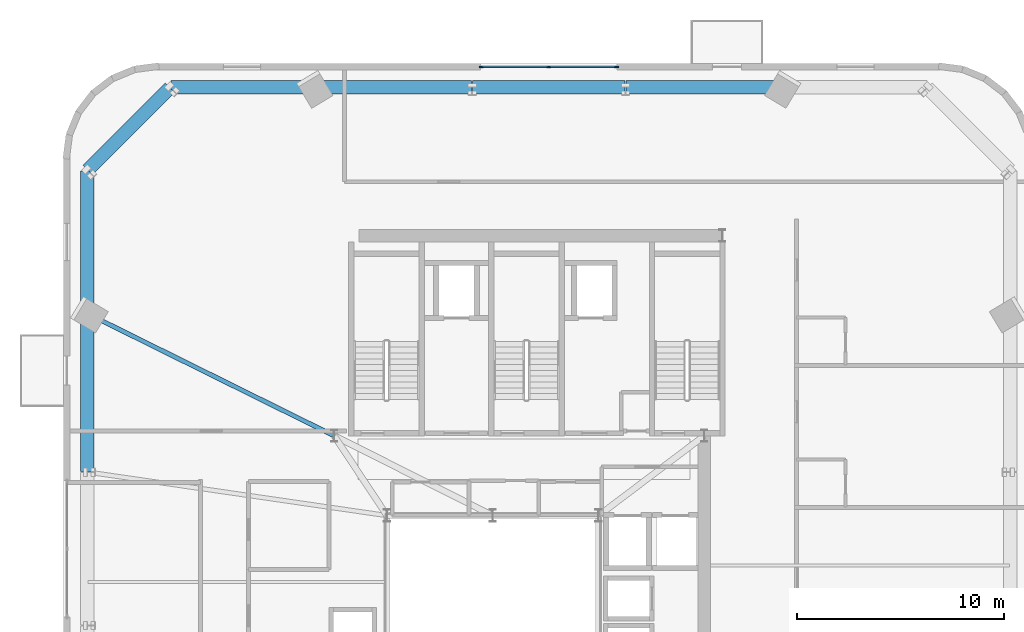
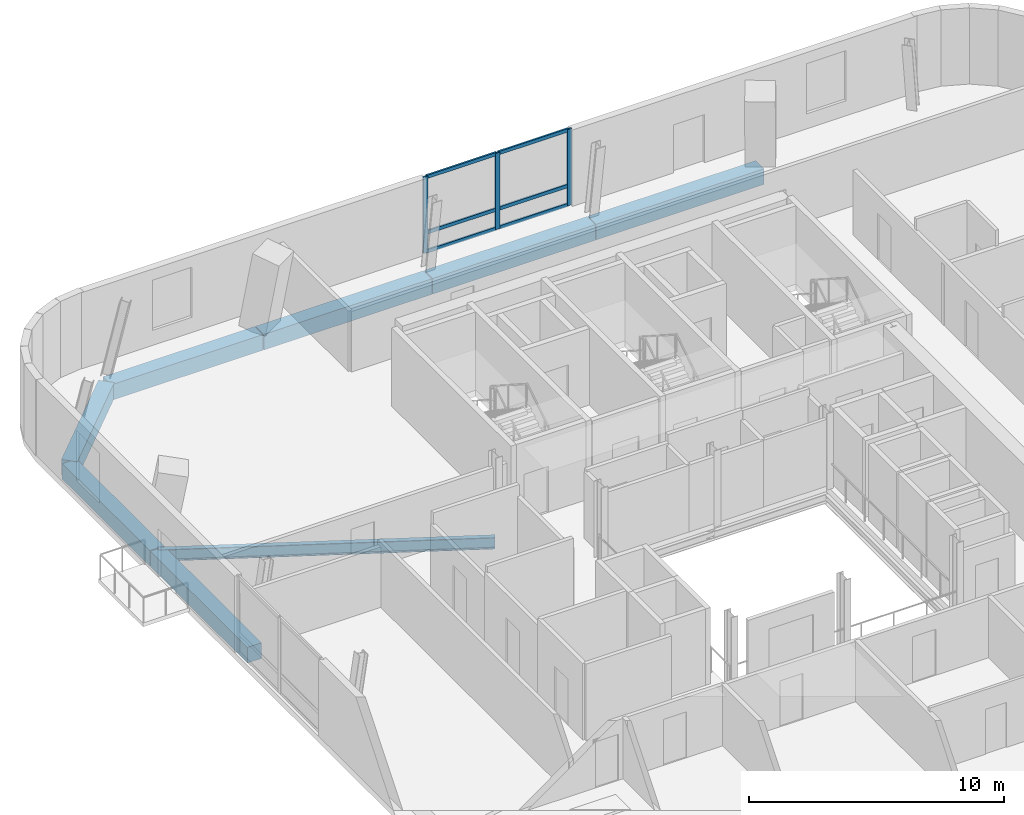
# One storey, part 5 of 12: 9 members, 8 beams, 1 element without a shape of its own.
"""IFC4 building model written with IfcOpenShell, lengths in metres."""

from ifc_helpers import new_model, si_unit, direction, frame, origin, origin_2d, place, context, subcontext, project, spatial, rectangle, i_section, extrude, source, transform, mapped, material, material_profile, profile_set, type_object, element, aggregate, save


model = new_model("IFC4")

# Units and contexts
model_context = context("Model", 3, precision=1e-05, world=origin(), true_north=direction((0.0, 1.0)))
body_context = subcontext(model_context, "Body", "Model", "MODEL_VIEW")
ifc_project = project(units=[si_unit("LENGTHUNIT", "METRE"), si_unit("AREAUNIT", "SQUARE_METRE"), si_unit("VOLUMEUNIT", "CUBIC_METRE"), si_unit("PLANEANGLEUNIT", "RADIAN"), si_unit("MASSUNIT", "GRAM", prefix="KILO")], contexts=[model_context])

# Site, building, storey
site_placement = place(None, origin())
site = spatial("IfcSite", under=ifc_project, at=site_placement, CompositionType="ELEMENT")
building_placement = place(site_placement, origin())
building = spatial("IfcBuilding", under=site, at=building_placement, Name="Vardaveli Station Tower", CompositionType="ELEMENT")
storey_placement = place(building_placement, frame((0.0, 0.0, 254.550048828125)))
storey = spatial("IfcBuildingStorey", under=building, at=storey_placement, Name="L65", CompositionType="ELEMENT", Elevation=254.550048828125)

# Beams
ifc_material_1 = material(Name="Precast concrete C45/55", Category="concrete")
ifc_material_profile_1 = material_profile(ifc_material_1, rectangle(XDim=0.64990234375, YDim=0.75, at=origin_2d()), Name="LPB 650x750")
ifc_profile_set_1 = profile_set([ifc_material_profile_1], Name="Precast concrete C45/55")
beam_type_1 = type_object("IfcBeamType", Name="BM-LPB-750", PredefinedType="BEAM", material=ifc_profile_set_1)
shared_shape_1 = source(origin(), body_context, "Body", "SweptSolid", [
    extrude(rectangle(XDim=0.64990234375, YDim=0.75, at=origin_2d()), origin(), (0.0, 0.0, 1.0), 7.60009765625),
])
for number, where, z_axis, x_axis, name in (
    (1, (50.320068359375, 47.449951171875, -0.675048828125), (-1.0, 0.0, 0.0), (0.0, -1.0, 0.0), "RBM-L65-13"),
    (2, (35.280029296875, 47.449951171875, -0.675048828125), (-1.0, 0.0, 0.0), (0.0, -1.0, 0.0), "RBM-L65-15"),
    (3, (16.75, 36.52001953125, -0.675048828125), (0.0, -1.0, 0.0), (1.0, 0.0, 0.0), "RBM-L65-19"),
):
    element("IfcBeam", number, at=place(storey_placement, frame(where, z_axis=z_axis, x_axis=x_axis)), inside=storey, type_object=beam_type_1, Name=name, PredefinedType="BEAM", context=body_context, shape_type="MappedRepresentation", body=[
        mapped(shared_shape_1, transform((0.0, 0.0, 0.0), scale=1.0)),
    ])
shared_shape_2 = source(origin(), body_context, "Body", "SweptSolid", [
    extrude(rectangle(XDim=0.64990234375, YDim=0.75, at=origin_2d()), origin(), (0.0, 0.0, 1.0), 7.35986328125),
])
beam_1_placement = place(storey_placement, frame((42.679931640625, 47.449951171875, -0.675048828125), z_axis=(-1.0, 0.0, 0.0), x_axis=(0.0, -1.0, 0.0)))
element("IfcBeam", 4, at=beam_1_placement, inside=storey, type_object=beam_type_1, Name="RBM-L65-14", PredefinedType="BEAM", context=body_context, shape_type="MappedRepresentation", body=[
    mapped(shared_shape_2, transform((0.0, 0.0, 0.0), scale=1.0)),
])
shared_shape_3 = source(origin(), body_context, "Body", "SweptSolid", [
    extrude(rectangle(XDim=0.64990234375, YDim=0.75, at=origin_2d()), origin(), (0.0, 0.0, 1.0), 6.869873046875),
])
for number, where, z_axis, x_axis, name in (
    (5, (27.639892578125, 47.449951171875, -0.675048828125), (-1.0, 0.0, 0.0), (0.0, -1.0, 0.0), "RBM-L65-16"),
    (6, (16.75, 43.429931640625, -0.675048828125), (0.0, -1.0, 0.0), (1.0, 0.0, 0.0), "RBM-L65-18"),
):
    element("IfcBeam", number, at=place(storey_placement, frame(where, z_axis=z_axis, x_axis=x_axis)), inside=storey, type_object=beam_type_1, Name=name, PredefinedType="BEAM", context=body_context, shape_type="MappedRepresentation", body=[
        mapped(shared_shape_3, transform((0.0, 0.0, 0.0), scale=1.0)),
    ])
shared_shape_4 = source(origin(), body_context, "Body", "SweptSolid", [
    extrude(rectangle(XDim=0.64990234375, YDim=0.75, at=origin_2d()), origin(), (0.0, 0.0, 1.0), 5.61669921875),
])
beam_2_placement = place(storey_placement, frame((20.73583984375, 47.435791015625, -0.675048828125), z_axis=(-0.707106781187, -0.707106781187, 0.0), x_axis=(0.707106781187, -0.707106781187, 0.0)))
element("IfcBeam", 7, at=beam_2_placement, inside=storey, type_object=beam_type_1, Name="RBM-L65-17", PredefinedType="BEAM", context=body_context, shape_type="MappedRepresentation", body=[
    mapped(shared_shape_4, transform((0.0, 0.0, 0.0), scale=1.0)),
])
ifc_material_2 = material(Name="Structural steel S355J2", Category="steel")
ifc_material_profile_2 = material_profile(ifc_material_2, i_section(OverallWidth=0.2099609375, OverallDepth=0.550048828125, WebThickness=0.010986328125, FlangeThickness=0.01708984375, FilletRadius=0.02392578125, at=origin_2d()), Name="IPE 550")
ifc_profile_set_2 = profile_set([ifc_material_profile_2], Name="Structural steel S355J2")
beam_type_2 = type_object("IfcBeamType", Name="BM-IPE550", PredefinedType="BEAM", material=ifc_profile_set_2)
shared_shape_5 = source(origin(), body_context, "Body", "SweptSolid", [
    extrude(i_section(OverallWidth=0.2099609375, OverallDepth=0.550048828125, WebThickness=0.010986328125, FlangeThickness=0.01708984375, FilletRadius=0.02392578125, at=origin_2d()), origin(), (0.0, 0.0, 1.0), 13.238037109375),
])
beam_3_placement = place(storey_placement, frame((16.767822265625, 36.53125, -0.574951171875), z_axis=(0.896227242725, -0.443595231486, 0.0), x_axis=(0.443595231486, 0.896227242725, 0.0)))
element("IfcBeam", 8, at=beam_3_placement, inside=storey, type_object=beam_type_2, Name="GBM-L65-12", PredefinedType="BEAM", context=body_context, shape_type="MappedRepresentation", body=[
    mapped(shared_shape_5, transform((0.0, 0.0, 0.0), scale=1.0)),
])

# Curtain wall, members
ifc_material_3 = material(Name="Travertine stone and solar-control glass", Category="masonry")
curtain_wall_type = type_object("IfcCurtainWallType", Name="CW-SYS-5", PredefinedType="NOTDEFINED", material=ifc_material_3)
curtain_wall_placement = place(storey_placement, origin())
curtain_wall = element("IfcCurtainWall", 9, at=curtain_wall_placement, inside=storey, type_object=curtain_wall_type, Name="CW-L65-N", PredefinedType="NOTDEFINED")
ifc_material_4 = material(Name="Anodised aluminium alloy 6063-T6", Category="aluminium")
ifc_material_profile_3 = material_profile(ifc_material_4, rectangle(XDim=0.080078125, YDim=0.1650390625, at=origin_2d()), Name="CWT 80x165")
ifc_profile_set_3 = profile_set([ifc_material_profile_3], Name="Anodised aluminium alloy 6063-T6")
member_type_1 = type_object("IfcMemberType", Name="CW-SYS-5-TRAN", PredefinedType="NOTDEFINED", material=ifc_profile_set_3)
shared_shape_6 = source(origin(), body_context, "Body", "SweptSolid", [
    extrude(rectangle(XDim=0.080078125, YDim=0.1650390625, at=origin_2d()), origin(), (0.0, 0.0, 1.0), 3.179931640625),
])
member_1_placement = place(storey_placement, frame((42.219970703125, 48.43994140625, 0.0400390625), z_axis=(-1.0, 0.0, 0.0), x_axis=(0.0, -1.0, 0.0)))
member_1 = element("IfcMember", 10, at=member_1_placement, type_object=member_type_1, Name="CW-5 transom 1.1", ObjectType="TRANSOM", PredefinedType="USERDEFINED", context=body_context, shape_type="MappedRepresentation", body=[
    mapped(shared_shape_6, transform((0.0, 0.0, 0.0), scale=1.0)),
])
member_2_placement = place(storey_placement, frame((42.219970703125, 48.43994140625, 0.949951171875), z_axis=(-1.0, 0.0, 0.0), x_axis=(0.0, -1.0, 0.0)))
member_2 = element("IfcMember", 11, at=member_2_placement, type_object=member_type_1, Name="CW-5 transom 1.2", ObjectType="TRANSOM", PredefinedType="USERDEFINED", context=body_context, shape_type="MappedRepresentation", body=[
    mapped(shared_shape_6, transform((0.0, 0.0, 0.0), scale=1.0)),
])
member_3_placement = place(storey_placement, frame((42.219970703125, 48.43994140625, 3.60986328125), z_axis=(-1.0, 0.0, 0.0), x_axis=(0.0, -1.0, 0.0)))
member_3 = element("IfcMember", 12, at=member_3_placement, type_object=member_type_1, Name="CW-5 transom 1.3", ObjectType="TRANSOM", PredefinedType="USERDEFINED", context=body_context, shape_type="MappedRepresentation", body=[
    mapped(shared_shape_6, transform((0.0, 0.0, 0.0), scale=1.0)),
])
member_4_placement = place(storey_placement, frame((38.9599609375, 48.43994140625, 0.0400390625), z_axis=(-1.0, 0.0, 0.0), x_axis=(0.0, -1.0, 0.0)))
member_4 = element("IfcMember", 13, at=member_4_placement, type_object=member_type_1, Name="CW-5 transom 2.1", ObjectType="TRANSOM", PredefinedType="USERDEFINED", context=body_context, shape_type="MappedRepresentation", body=[
    mapped(shared_shape_6, transform((0.0, 0.0, 0.0), scale=1.0)),
])
member_5_placement = place(storey_placement, frame((38.9599609375, 48.43994140625, 0.949951171875), z_axis=(-1.0, 0.0, 0.0), x_axis=(0.0, -1.0, 0.0)))
member_5 = element("IfcMember", 14, at=member_5_placement, type_object=member_type_1, Name="CW-5 transom 2.2", ObjectType="TRANSOM", PredefinedType="USERDEFINED", context=body_context, shape_type="MappedRepresentation", body=[
    mapped(shared_shape_6, transform((0.0, 0.0, 0.0), scale=1.0)),
])
member_6_placement = place(storey_placement, frame((38.9599609375, 48.43994140625, 3.60986328125), z_axis=(-1.0, 0.0, 0.0), x_axis=(0.0, -1.0, 0.0)))
member_6 = element("IfcMember", 15, at=member_6_placement, type_object=member_type_1, Name="CW-5 transom 2.3", ObjectType="TRANSOM", PredefinedType="USERDEFINED", context=body_context, shape_type="MappedRepresentation", body=[
    mapped(shared_shape_6, transform((0.0, 0.0, 0.0), scale=1.0)),
])
ifc_material_profile_4 = material_profile(ifc_material_4, rectangle(XDim=0.080078125, YDim=0.205078125, at=origin_2d()), Name="CWM 80x205")
ifc_profile_set_4 = profile_set([ifc_material_profile_4], Name="Anodised aluminium alloy 6063-T6")
member_type_2 = type_object("IfcMemberType", Name="CW-SYS-5-MULL", PredefinedType="MULLION", material=ifc_profile_set_4)
shared_shape_7 = source(origin(), body_context, "Body", "SweptSolid", [
    extrude(rectangle(XDim=0.080078125, YDim=0.205078125, at=origin_2d()), origin(), (0.0, 0.0, 1.0), 3.64990234375),
])
member_7_placement = place(storey_placement, frame((42.260009765625, 48.43994140625, 0.0), z_axis=(0.0, 0.0, 1.0), x_axis=(0.0, -1.0, 0.0)))
member_7 = element("IfcMember", 16, at=member_7_placement, type_object=member_type_2, Name="CW-5 mullion 1", PredefinedType="MULLION", context=body_context, shape_type="MappedRepresentation", body=[
    mapped(shared_shape_7, transform((0.0, 0.0, 0.0), scale=1.0)),
])
member_8_placement = place(storey_placement, frame((39.0, 48.43994140625, 0.0), z_axis=(0.0, 0.0, 1.0), x_axis=(0.0, -1.0, 0.0)))
member_8 = element("IfcMember", 17, at=member_8_placement, type_object=member_type_2, Name="CW-5 mullion 2", PredefinedType="MULLION", context=body_context, shape_type="MappedRepresentation", body=[
    mapped(shared_shape_7, transform((0.0, 0.0, 0.0), scale=1.0)),
])
member_9_placement = place(storey_placement, frame((35.739990234375, 48.43994140625, 0.0), z_axis=(0.0, 0.0, 1.0), x_axis=(0.0, -1.0, 0.0)))
member_9 = element("IfcMember", 18, at=member_9_placement, type_object=member_type_2, Name="CW-5 mullion 3", PredefinedType="MULLION", context=body_context, shape_type="MappedRepresentation", body=[
    mapped(shared_shape_7, transform((0.0, 0.0, 0.0), scale=1.0)),
])
aggregate(curtain_wall, [member_7, member_8, member_9, member_1, member_2, member_3, member_4, member_5, member_6])

save(model, "model.ifc")
